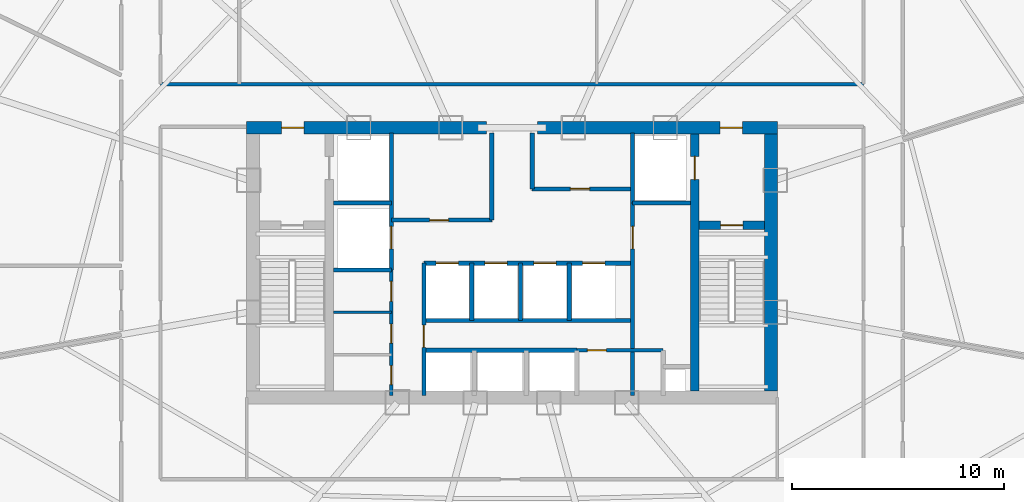
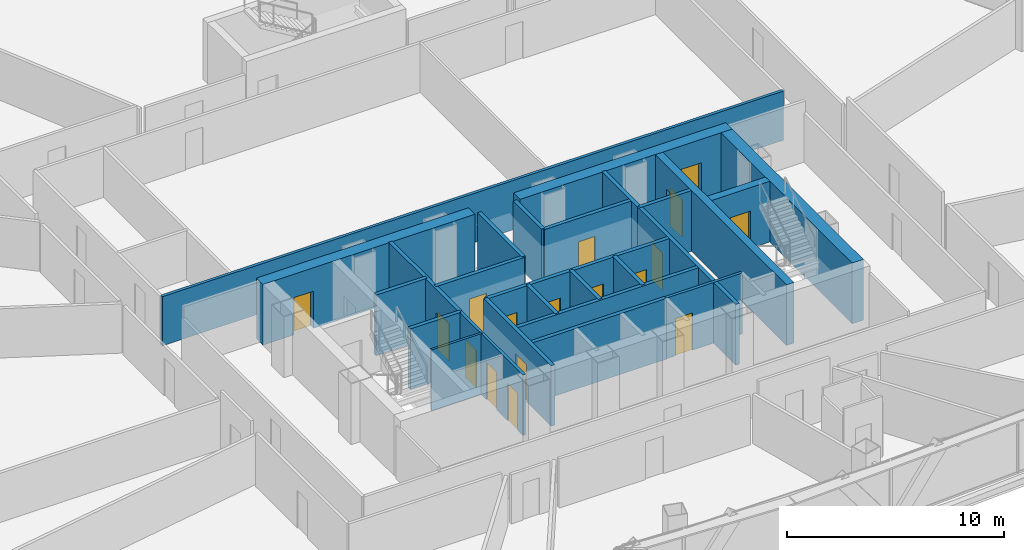
# One storey, part 33 of 39: 26 walls, 17 doors, 17 openings.
"""IFC4 building model written with IfcOpenShell, lengths in metres."""

from ifc_helpers import new_model, si_unit, direction, frame, frame_2d, origin, origin_with_axes, place, context, subcontext, project, spatial, rectangle, extrude, source, transform, mapped, material, layer, layer_set, type_object, element, fill, save


model = new_model("IFC4")

# Units and contexts
model_context = context("Model", 3, precision=1e-05, world=origin(), true_north=direction((0.0, 1.0)))
body_context = subcontext(model_context, "Body", "Model", "MODEL_VIEW")
ifc_project = project(units=[si_unit("LENGTHUNIT", "METRE"), si_unit("AREAUNIT", "SQUARE_METRE"), si_unit("VOLUMEUNIT", "CUBIC_METRE"), si_unit("PLANEANGLEUNIT", "RADIAN"), si_unit("MASSUNIT", "GRAM", prefix="KILO"), si_unit("THERMODYNAMICTEMPERATUREUNIT", "KELVIN"), si_unit("POWERUNIT", "WATT")], contexts=[model_context])

# Site, building, storey
site_placement = place(None, origin())
site = spatial("IfcSite", under=ifc_project, at=site_placement, CompositionType="ELEMENT")
building_placement = place(site_placement, origin())
building = spatial("IfcBuilding", under=site, at=building_placement, Name="Yunzhuo Pagoda Commons", CompositionType="ELEMENT")
storey_placement = place(building_placement, frame((0.0, 0.0, 144.550048828125)))
storey = spatial("IfcBuildingStorey", under=building, at=storey_placement, Name="L36", CompositionType="ELEMENT", Elevation=144.550048828125)

# Wall, opening, door
ifc_material_1 = material(Name="Concrete C60", Category="concrete")
ifc_layer_1 = layer(ifc_material_1, 0.60009765625)
ifc_layer_set_1 = layer_set([ifc_layer_1], Name="Concrete C60")
wall_type_1 = type_object("IfcWallType", Name="W-C02 Mid Core Shear Wall 600", PredefinedType="SHEAR", material=ifc_layer_set_1)
wall_1_placement = place(storey_placement, frame((35.5, 40.199951171875, 0.0), z_axis=(0.0, 0.0, 1.0), x_axis=(1.0, 0.0, 0.0)))
wall_1 = element("IfcWall", 1, at=wall_1_placement, inside=storey, type_object=wall_type_1, Name="L36 core shear wall NW", PredefinedType="SHEAR", context=body_context, shape_type="SweptSolid", body=[
    extrude(rectangle(XDim=11.300048828125, YDim=0.60009765625, at=frame_2d((5.64990234375, 0.0))), origin(), (0.0, 0.0, 1.0), 3.419921875),
])
opening_1_placement = place(wall_1_placement, frame((1.64990234375, 0.0, 0.0)))
opening_1 = element("IfcOpeningElement", 2, at=opening_1_placement, cuts=wall_1, Name="Opening D-02", PredefinedType="OPENING", context=body_context, shape_type="SweptSolid", body=[
    extrude(rectangle(XDim=1.050048828125, YDim=2.10009765625, at=frame_2d((0.52490234375, 1.050048828125))), frame((0.0, 0.31005859375, 0.0), z_axis=(0.0, -1.0, 0.0), x_axis=(1.0, 0.0, 0.0)), (0.0, 0.0, 1.0), 0.6201171875),
])
ifc_material_2 = material(Name="Galvanized fire-resisting metal leaf")
door_type_1 = type_object("IfcDoorType", Name="D-02 Firefighting Lobby & Refuge Fire Door 1050x2100", OperationType="NOTDEFINED", PredefinedType="DOOR", material=ifc_material_2)
shared_shape_1 = source(origin(), body_context, "Body", "SweptSolid", [
    extrude(rectangle(XDim=1.050048828125, YDim=2.10009765625, at=frame_2d((0.52490234375, 1.050048828125))), frame((0.0, 0.02490234375, 0.0), z_axis=(0.0, -1.0, 0.0), x_axis=(1.0, 0.0, 0.0)), (0.0, 0.0, 1.0), 0.050048828125),
])
door_1_placement = place(opening_1_placement, frame((1.050048828125, 0.0, 0.0), z_axis=(0.0, 0.0, 1.0), x_axis=(-1.0, 0.0, 0.0)))
door_1 = element("IfcDoor", 3, at=door_1_placement, inside=storey, type_object=door_type_1, Name="L36 Firefighting Lobby 1 fire door", OperationType="SINGLE_SWING_LEFT", OverallHeight=2.10009765625, OverallWidth=1.050048828125, PredefinedType="DOOR", context=body_context, shape_type="MappedRepresentation", body=[
    mapped(shared_shape_1, transform((0.0, 0.0, 0.0), scale=1.0)),
])
fill(opening_1, door_1)

wall_2_placement = place(storey_placement, frame((49.199951171875, 40.199951171875, 0.0), z_axis=(0.0, 0.0, 1.0), x_axis=(1.0, 0.0, 0.0)))
wall_2 = element("IfcWall", 4, at=wall_2_placement, inside=storey, type_object=wall_type_1, Name="L36 core shear wall NE", PredefinedType="SHEAR", context=body_context, shape_type="SweptSolid", body=[
    extrude(rectangle(XDim=11.300048828125, YDim=0.60009765625, at=frame_2d((5.64990234375, 0.0))), origin(), (0.0, 0.0, 1.0), 3.419921875),
])
opening_2_placement = place(wall_2_placement, frame((8.60009765625, 0.0, 0.0)))
opening_2 = element("IfcOpeningElement", 5, at=opening_2_placement, cuts=wall_2, Name="Opening D-02", PredefinedType="OPENING", context=body_context, shape_type="SweptSolid", body=[
    extrude(rectangle(XDim=1.050048828125, YDim=2.10009765625, at=frame_2d((0.52490234375, 1.050048828125))), frame((0.0, 0.31005859375, 0.0), z_axis=(0.0, -1.0, 0.0), x_axis=(1.0, 0.0, 0.0)), (0.0, 0.0, 1.0), 0.6201171875),
])
door_2_placement = place(opening_2_placement, frame((1.050048828125, 0.0, 0.0), z_axis=(0.0, 0.0, 1.0), x_axis=(-1.0, 0.0, 0.0)))
door_2 = element("IfcDoor", 6, at=door_2_placement, inside=storey, type_object=door_type_1, Name="L36 Firefighting Lobby 2 fire door", OperationType="SINGLE_SWING_RIGHT", OverallHeight=2.10009765625, OverallWidth=1.050048828125, PredefinedType="DOOR", context=body_context, shape_type="MappedRepresentation", body=[
    mapped(shared_shape_1, transform((0.0, 0.0, 0.0), scale=1.0)),
])
fill(opening_2, door_2)

# Wall
wall_3_placement = place(storey_placement, frame((60.199951171875, 27.800048828125, 0.0), z_axis=(0.0, 0.0, 1.0), x_axis=(0.0, 1.0, 0.0)))
element("IfcWall", 7, at=wall_3_placement, inside=storey, type_object=wall_type_1, Name="L36 core shear wall E", PredefinedType="SHEAR", context=body_context, shape_type="SweptSolid", body=[
    extrude(rectangle(XDim=12.099853515625, YDim=0.60009765625, at=frame_2d((6.0498046875, 0.0))), origin(), (0.0, 0.0, 1.0), 3.419921875),
])

# Wall, openings, doors
ifc_material_3 = material(Name="Gypsum plasterboard on acoustic stud")
ifc_layer_2 = layer(ifc_material_3, 0.155029296875)
ifc_layer_set_2 = layer_set([ifc_layer_2], Name="Gypsum plasterboard on acoustic stud")
wall_type_2 = type_object("IfcWallType", Name="W-COR2 Mid-Zone Rated Corridor Wall 155", PredefinedType="PARTITIONING", material=ifc_layer_set_2)
wall_4_placement = place(storey_placement, frame((42.320068359375, 27.60009765625, 0.0), z_axis=(0.0, 0.0, 1.0), x_axis=(0.0, 1.0, 0.0)))
wall_4 = element("IfcWall", 8, at=wall_4_placement, inside=storey, type_object=wall_type_2, Name="L36 interior wall IW-L36-CSWE", PredefinedType="PARTITIONING", context=body_context, shape_type="SweptSolid", body=[
    extrude(rectangle(XDim=5.89990234375, YDim=0.155029296875, at=frame_2d((2.949951171875, 0.0))), origin(), (0.0, 0.0, 1.0), 3.419921875),
])
opening_3_placement = place(wall_4_placement, frame((0.5, 0.0, 0.0)))
opening_3 = element("IfcOpeningElement", 9, at=opening_3_placement, cuts=wall_4, Name="Opening D-03", PredefinedType="OPENING", context=body_context, shape_type="SweptSolid", body=[
    extrude(rectangle(XDim=0.89990234375, YDim=2.10009765625, at=frame_2d((0.449951171875, 1.050048828125))), frame((0.0, 0.08740234375, 0.0), z_axis=(0.0, -1.0, 0.0), x_axis=(1.0, 0.0, 0.0)), (0.0, 0.0, 1.0), 0.175048828125),
])
opening_4_placement = place(wall_4_placement, frame((2.449951171875, 0.0, 0.0)))
opening_4 = element("IfcOpeningElement", 10, at=opening_4_placement, cuts=wall_4, Name="Opening D-03", PredefinedType="OPENING", context=body_context, shape_type="SweptSolid", body=[
    extrude(rectangle(XDim=0.89990234375, YDim=2.10009765625, at=frame_2d((0.449951171875, 1.050048828125))), frame((0.0, 0.08740234375, 0.0), z_axis=(0.0, -1.0, 0.0), x_axis=(1.0, 0.0, 0.0)), (0.0, 0.0, 1.0), 0.175048828125),
])
opening_5_placement = place(wall_4_placement, frame((4.419921875, 0.0, 0.0)))
opening_5 = element("IfcOpeningElement", 11, at=opening_5_placement, cuts=wall_4, Name="Opening D-11", PredefinedType="OPENING", context=body_context, shape_type="SweptSolid", body=[
    extrude(rectangle(XDim=0.93994140625, YDim=2.10009765625, at=frame_2d((0.469970703125, 1.050048828125))), frame((0.0, 0.08740234375, 0.0), z_axis=(0.0, -1.0, 0.0), x_axis=(1.0, 0.0, 0.0)), (0.0, 0.0, 1.0), 0.175048828125),
])
door_type_2 = type_object("IfcDoorType", Name="D-03 Core Service Fire Door 900x2100", OperationType="NOTDEFINED", PredefinedType="DOOR", material=ifc_material_2)
shared_shape_2 = source(origin(), body_context, "Body", "SweptSolid", [
    extrude(rectangle(XDim=0.89990234375, YDim=2.10009765625, at=frame_2d((0.449951171875, 1.050048828125))), frame((0.0, 0.02490234375, 0.0), z_axis=(0.0, -1.0, 0.0), x_axis=(1.0, 0.0, 0.0)), (0.0, 0.0, 1.0), 0.050048828125),
])
door_3_placement = place(opening_3_placement, origin_with_axes())
door_3 = element("IfcDoor", 12, at=door_3_placement, inside=storey, type_object=door_type_2, Name="L36 switch door", OperationType="SINGLE_SWING_RIGHT", OverallHeight=2.10009765625, OverallWidth=0.89990234375, PredefinedType="DOOR", context=body_context, shape_type="MappedRepresentation", body=[
    mapped(shared_shape_2, transform((0.0, 0.0, 0.0), scale=1.0)),
])
fill(opening_3, door_3)
door_4_placement = place(opening_4_placement, origin_with_axes())
door_4 = element("IfcDoor", 13, at=door_4_placement, inside=storey, type_object=door_type_2, Name="L36 cleaner door", OperationType="SINGLE_SWING_RIGHT", OverallHeight=2.10009765625, OverallWidth=0.89990234375, PredefinedType="DOOR", context=body_context, shape_type="MappedRepresentation", body=[
    mapped(shared_shape_2, transform((0.0, 0.0, 0.0), scale=1.0)),
])
fill(opening_4, door_4)
door_type_3 = type_object("IfcDoorType", Name="D-11 Accessible Washroom Fire Door 940x2100", OperationType="NOTDEFINED", PredefinedType="DOOR", material=ifc_material_2)
shared_shape_3 = source(origin(), body_context, "Body", "SweptSolid", [
    extrude(rectangle(XDim=0.93994140625, YDim=2.10009765625, at=frame_2d((0.469970703125, 1.050048828125))), frame((0.0, 0.02490234375, 0.0), z_axis=(0.0, -1.0, 0.0), x_axis=(1.0, 0.0, 0.0)), (0.0, 0.0, 1.0), 0.050048828125),
])
door_5_placement = place(opening_5_placement, origin_with_axes())
door_5 = element("IfcDoor", 14, at=door_5_placement, inside=storey, type_object=door_type_3, Name="L36 core WC door", OperationType="SINGLE_SWING_LEFT", OverallHeight=2.10009765625, OverallWidth=0.93994140625, PredefinedType="DOOR", context=body_context, shape_type="MappedRepresentation", body=[
    mapped(shared_shape_3, transform((0.0, 0.0, 0.0), scale=1.0)),
])
fill(opening_5, door_5)

# Wall, opening, door
wall_5_placement = place(storey_placement, frame((51.050048828125, 29.719970703125, 0.0), z_axis=(0.0, 0.0, 1.0), x_axis=(1.0, 0.0, 0.0)))
wall_5 = element("IfcWall", 15, at=wall_5_placement, inside=storey, type_object=wall_type_2, Name="L36 interior wall IW-L36-CSES", PredefinedType="PARTITIONING", context=body_context, shape_type="SweptSolid", body=[
    extrude(rectangle(XDim=4.070068359375, YDim=0.155029296875, at=frame_2d((2.03515625, 0.0))), origin(), (0.0, 0.0, 1.0), 3.419921875),
])
opening_6_placement = place(wall_5_placement, frame((0.5, 0.0, 0.0)))
opening_6 = element("IfcOpeningElement", 16, at=opening_6_placement, cuts=wall_5, Name="Opening D-03", PredefinedType="OPENING", context=body_context, shape_type="SweptSolid", body=[
    extrude(rectangle(XDim=0.89990234375, YDim=2.10009765625, at=frame_2d((0.449951171875, 1.050048828125))), frame((0.0, 0.08740234375, 0.0), z_axis=(0.0, -1.0, 0.0), x_axis=(1.0, 0.0, 0.0)), (0.0, 0.0, 1.0), 0.175048828125),
])
door_6_placement = place(opening_6_placement, origin_with_axes())
door_6 = element("IfcDoor", 17, at=door_6_placement, inside=storey, type_object=door_type_2, Name="L36 core pantry door", OperationType="SINGLE_SWING_RIGHT", OverallHeight=2.10009765625, OverallWidth=0.89990234375, PredefinedType="DOOR", context=body_context, shape_type="MappedRepresentation", body=[
    mapped(shared_shape_2, transform((0.0, 0.0, 0.0), scale=1.0)),
])
fill(opening_6, door_6)

# Walls
wall_6_placement = place(storey_placement, frame((31.449951171875, 42.25, 0.0), z_axis=(0.0, 0.0, 1.0), x_axis=(1.0, 0.0, 0.0)))
element("IfcWall", 18, at=wall_6_placement, inside=storey, type_object=wall_type_2, Name="L36 interior wall IW-L36-MCNS", PredefinedType="PARTITIONING", context=body_context, shape_type="SweptSolid", body=[
    extrude(rectangle(XDim=33.10009765625, YDim=0.155029296875, at=frame_2d((16.550048828125, 0.0))), origin(), (0.0, 0.0, 1.0), 2.77001953125),
])
ifc_layer_3 = layer(ifc_material_3, 0.1201171875)
ifc_layer_set_3 = layer_set([ifc_layer_3], Name="Gypsum plasterboard on acoustic stud")
wall_type_3 = type_object("IfcWallType", Name="W-PRT1 Suite & Bathroom Partition 120", PredefinedType="PARTITIONING", material=ifc_layer_set_3)
wall_7_placement = place(storey_placement, frame((39.60009765625, 31.5, 0.0), z_axis=(0.0, 0.0, 1.0), x_axis=(1.0, 0.0, 0.0)))
element("IfcWall", 19, at=wall_7_placement, inside=storey, type_object=wall_type_3, Name="L36 interior wall IW-L36-CC2", PredefinedType="PARTITIONING", context=body_context, shape_type="SweptSolid", body=[
    extrude(rectangle(XDim=2.719970703125, YDim=0.1201171875, at=frame_2d((1.35986328125, 0.0))), origin(), (0.0, 0.0, 1.0), 3.419921875),
])

# Wall, opening, door
ifc_layer_4 = layer(ifc_material_1, 0.39990234375)
ifc_layer_set_4 = layer_set([ifc_layer_4], Name="Concrete C60")
wall_type_4 = type_object("IfcWallType", Name="W-S01 Internal Core Shear Web 400", PredefinedType="SHEAR", material=ifc_layer_set_4)
wall_8_placement = place(storey_placement, frame((56.60009765625, 27.800048828125, 0.0), z_axis=(0.0, 0.0, 1.0), x_axis=(0.0, 1.0, 0.0)))
wall_8 = element("IfcWall", 20, at=wall_8_placement, inside=storey, type_object=wall_type_4, Name="L36 core shear wall WEBE", PredefinedType="SHEAR", context=body_context, shape_type="SweptSolid", body=[
    extrude(rectangle(XDim=12.099853515625, YDim=0.39990234375, at=frame_2d((6.0498046875, 0.0))), origin(), (0.0, 0.0, 1.0), 3.419921875),
])
opening_7_placement = place(wall_8_placement, frame((9.949951171875, 0.0, 0.0)))
opening_7 = element("IfcOpeningElement", 21, at=opening_7_placement, cuts=wall_8, Name="Opening LD-01", PredefinedType="OPENING", context=body_context, shape_type="SweptSolid", body=[
    extrude(rectangle(XDim=1.10009765625, YDim=2.10009765625, at=frame_2d((0.550048828125, 1.050048828125))), frame((0.0, 0.2099609375, 0.0), z_axis=(0.0, -1.0, 0.0), x_axis=(1.0, 0.0, 0.0)), (0.0, 0.0, 1.0), 0.419921875),
])
door_type_4 = type_object("IfcDoorType", Name="LD-01 Firefighting Lift Landing Door 1100x2100", OperationType="DOUBLE_DOOR_SLIDING", PredefinedType="DOOR", material=ifc_material_2)
shared_shape_4 = source(origin(), body_context, "Body", "SweptSolid", [
    extrude(rectangle(XDim=1.10009765625, YDim=2.10009765625, at=frame_2d((0.550048828125, 1.050048828125))), frame((0.0, 0.02490234375, 0.0), z_axis=(0.0, -1.0, 0.0), x_axis=(1.0, 0.0, 0.0)), (0.0, 0.0, 1.0), 0.050048828125),
])
door_7_placement = place(opening_7_placement, origin_with_axes())
door_7 = element("IfcDoor", 22, at=door_7_placement, inside=storey, type_object=door_type_4, Name="L36 Firefighting lift FL-2 landing door", OperationType="DOUBLE_DOOR_SLIDING", OverallHeight=2.10009765625, OverallWidth=1.10009765625, PredefinedType="DOOR", context=body_context, shape_type="MappedRepresentation", body=[
    mapped(shared_shape_4, transform((0.0, 0.0, 0.0), scale=1.0)),
])
fill(opening_7, door_7)

wall_9_placement = place(storey_placement, frame((56.800048828125, 35.60009765625, 0.0), z_axis=(0.0, 0.0, 1.0), x_axis=(1.0, 0.0, 0.0)))
wall_9 = element("IfcWall", 23, at=wall_9_placement, inside=storey, type_object=wall_type_4, Name="L36 core shear wall STE", PredefinedType="SHEAR", context=body_context, shape_type="SweptSolid", body=[
    extrude(rectangle(XDim=3.099853515625, YDim=0.39990234375, at=frame_2d((1.5498046875, 0.0))), origin(), (0.0, 0.0, 1.0), 3.419921875),
])
opening_8_placement = place(wall_9_placement, frame((1.02001953125, 0.0, 0.0)))
opening_8 = element("IfcOpeningElement", 24, at=opening_8_placement, cuts=wall_9, Name="Opening D-01", PredefinedType="OPENING", context=body_context, shape_type="SweptSolid", body=[
    extrude(rectangle(XDim=1.050048828125, YDim=2.10009765625, at=frame_2d((0.52490234375, 1.050048828125))), frame((0.0, 0.2099609375, 0.0), z_axis=(0.0, -1.0, 0.0), x_axis=(1.0, 0.0, 0.0)), (0.0, 0.0, 1.0), 0.419921875),
])
door_type_5 = type_object("IfcDoorType", Name="D-01 Smokeproof Stair Fire Door 1050x2100", OperationType="NOTDEFINED", PredefinedType="DOOR", material=ifc_material_2)
door_8_placement = place(opening_8_placement, frame((1.050048828125, 0.0, 0.0), z_axis=(0.0, 0.0, 1.0), x_axis=(-1.0, 0.0, 0.0)))
door_8 = element("IfcDoor", 25, at=door_8_placement, inside=storey, type_object=door_type_5, Name="L36 Stair ST2 fire door", OperationType="SINGLE_SWING_RIGHT", OverallHeight=2.10009765625, OverallWidth=1.050048828125, PredefinedType="DOOR", context=body_context, shape_type="MappedRepresentation", body=[
    mapped(shared_shape_1, transform((0.0, 0.0, 0.0), scale=1.0)),
])
fill(opening_8, door_8)

ifc_material_4 = material(Name="Concrete C40", Category="concrete")
ifc_layer_5 = layer(ifc_material_4, 0.199951171875)
ifc_layer_set_5 = layer_set([ifc_layer_5], Name="Concrete C40")
wall_type_5 = type_object("IfcWallType", Name="W-SHF Shaft & Stair Enclosure Wall 200", PredefinedType="SOLIDWALL", material=ifc_layer_set_5)
wall_10_placement = place(storey_placement, frame((42.320068359375, 33.5, 0.0), z_axis=(0.0, 0.0, 1.0), x_axis=(0.0, 1.0, 0.0)))
wall_10 = element("IfcWall", 26, at=wall_10_placement, inside=storey, type_object=wall_type_5, Name="L36 interior wall IW-L36-FL1E", PredefinedType="SOLIDWALL", context=body_context, shape_type="SweptSolid", body=[
    extrude(rectangle(XDim=6.449951171875, YDim=0.199951171875, at=frame_2d((3.22509765625, 0.0))), origin(), (0.0, 0.0, 1.0), 3.419921875),
])
opening_9_placement = place(wall_10_placement, frame((1.0, 0.0, 0.0)))
opening_9 = element("IfcOpeningElement", 27, at=opening_9_placement, cuts=wall_10, Name="Opening LD-02", PredefinedType="OPENING", context=body_context, shape_type="SweptSolid", body=[
    extrude(rectangle(XDim=1.050048828125, YDim=2.10009765625, at=frame_2d((0.52490234375, 1.050048828125))), frame((0.0, 0.10986328125, 0.0), z_axis=(0.0, -1.0, 0.0), x_axis=(1.0, 0.0, 0.0)), (0.0, 0.0, 1.0), 0.219970703125),
])
door_type_6 = type_object("IfcDoorType", Name="LD-02 Passenger Lift Landing Door 1050x2100", OperationType="DOUBLE_DOOR_SLIDING", PredefinedType="DOOR", material=ifc_material_2)
door_9_placement = place(opening_9_placement, origin_with_axes())
door_9 = element("IfcDoor", 28, at=door_9_placement, inside=storey, type_object=door_type_6, Name="L36 Service lift SL-1 landing door", OperationType="DOUBLE_DOOR_SLIDING", OverallHeight=2.10009765625, OverallWidth=1.050048828125, PredefinedType="DOOR", context=body_context, shape_type="MappedRepresentation", body=[
    mapped(shared_shape_1, transform((0.0, 0.0, 0.0), scale=1.0)),
])
fill(opening_9, door_9)

# Walls
for number, where, z_axis, x_axis, name in (
    (29, (39.60009765625, 36.64990234375, 0.0), (0.0, 0.0, 1.0), (1.0, 0.0, 0.0), "L36 interior wall IW-L36-FL1S"),
    (30, (39.60009765625, 33.5, 0.0), (0.0, 0.0, 1.0), (1.0, 0.0, 0.0), "L36 interior wall IW-L36-SL1S"),
):
    element("IfcWall", number, at=place(storey_placement, frame(where, z_axis=z_axis, x_axis=x_axis)), inside=storey, type_object=wall_type_5, Name=name, PredefinedType="SOLIDWALL", context=body_context, shape_type="SweptSolid", body=[
        extrude(rectangle(XDim=2.719970703125, YDim=0.199951171875, at=frame_2d((1.35986328125, 0.0))), origin(), (0.0, 0.0, 1.0), 3.419921875),
    ])
wall_11_placement = place(storey_placement, frame((53.679931640625, 36.64990234375, 0.0), z_axis=(0.0, 0.0, 1.0), x_axis=(0.0, 1.0, 0.0)))
element("IfcWall", 31, at=wall_11_placement, inside=storey, type_object=wall_type_5, Name="L36 interior wall IW-L36-FL2W", PredefinedType="SOLIDWALL", context=body_context, shape_type="SweptSolid", body=[
    extrude(rectangle(XDim=3.300048828125, YDim=0.199951171875, at=frame_2d((1.64990234375, 0.0))), origin(), (0.0, 0.0, 1.0), 3.419921875),
])
wall_12_placement = place(storey_placement, frame((53.679931640625, 36.64990234375, 0.0), z_axis=(0.0, 0.0, 1.0), x_axis=(1.0, 0.0, 0.0)))
element("IfcWall", 32, at=wall_12_placement, inside=storey, type_object=wall_type_5, Name="L36 interior wall IW-L36-FL2S", PredefinedType="SOLIDWALL", context=body_context, shape_type="SweptSolid", body=[
    extrude(rectangle(XDim=2.719970703125, YDim=0.199951171875, at=frame_2d((1.35986328125, 0.0))), origin(), (0.0, 0.0, 1.0), 3.419921875),
])

# Wall, opening, door
wall_13_placement = place(storey_placement, frame((42.320068359375, 35.85009765625, 0.0), z_axis=(0.0, 0.0, 1.0), x_axis=(1.0, 0.0, 0.0)))
wall_13 = element("IfcWall", 33, at=wall_13_placement, inside=storey, type_object=wall_type_5, Name="L36 interior wall IW-L36-LBNW", PredefinedType="SOLIDWALL", context=body_context, shape_type="SweptSolid", body=[
    extrude(rectangle(XDim=4.72998046875, YDim=0.199951171875, at=frame_2d((2.364990234375, 0.0))), origin(), (0.0, 0.0, 1.0), 3.419921875),
])
opening_10_placement = place(wall_13_placement, frame((1.800048828125, 0.0, 0.0)))
opening_10 = element("IfcOpeningElement", 34, at=opening_10_placement, cuts=wall_13, Name="Opening D-03", PredefinedType="OPENING", context=body_context, shape_type="SweptSolid", body=[
    extrude(rectangle(XDim=0.89990234375, YDim=2.10009765625, at=frame_2d((0.449951171875, 1.050048828125))), frame((0.0, 0.10986328125, 0.0), z_axis=(0.0, -1.0, 0.0), x_axis=(1.0, 0.0, 0.0)), (0.0, 0.0, 1.0), 0.219970703125),
])
door_10_placement = place(opening_10_placement, frame((0.89990234375, 0.0, 0.0), z_axis=(0.0, 0.0, 1.0), x_axis=(-1.0, 0.0, 0.0)))
door_10 = element("IfcDoor", 35, at=door_10_placement, inside=storey, type_object=door_type_2, Name="L36 core west store door", OperationType="SINGLE_SWING_LEFT", OverallHeight=2.10009765625, OverallWidth=0.89990234375, PredefinedType="DOOR", context=body_context, shape_type="MappedRepresentation", body=[
    mapped(shared_shape_2, transform((0.0, 0.0, 0.0), scale=1.0)),
])
fill(opening_10, door_10)

wall_14_placement = place(storey_placement, frame((48.949951171875, 37.320068359375, 0.0), z_axis=(0.0, 0.0, 1.0), x_axis=(1.0, 0.0, 0.0)))
wall_14 = element("IfcWall", 36, at=wall_14_placement, inside=storey, type_object=wall_type_5, Name="L36 interior wall IW-L36-LBNE", PredefinedType="SOLIDWALL", context=body_context, shape_type="SweptSolid", body=[
    extrude(rectangle(XDim=4.72998046875, YDim=0.199951171875, at=frame_2d((2.364990234375, 0.0))), origin(), (0.0, 0.0, 1.0), 3.419921875),
])
opening_11_placement = place(wall_14_placement, frame((1.800048828125, 0.0, 0.0)))
opening_11 = element("IfcOpeningElement", 37, at=opening_11_placement, cuts=wall_14, Name="Opening D-03", PredefinedType="OPENING", context=body_context, shape_type="SweptSolid", body=[
    extrude(rectangle(XDim=0.89990234375, YDim=2.10009765625, at=frame_2d((0.449951171875, 1.050048828125))), frame((0.0, 0.10986328125, 0.0), z_axis=(0.0, -1.0, 0.0), x_axis=(1.0, 0.0, 0.0)), (0.0, 0.0, 1.0), 0.219970703125),
])
door_11_placement = place(opening_11_placement, frame((0.89990234375, 0.0, 0.0), z_axis=(0.0, 0.0, 1.0), x_axis=(-1.0, 0.0, 0.0)))
door_11 = element("IfcDoor", 38, at=door_11_placement, inside=storey, type_object=door_type_2, Name="L36 core east store door", OperationType="SINGLE_SWING_RIGHT", OverallHeight=2.10009765625, OverallWidth=0.89990234375, PredefinedType="DOOR", context=body_context, shape_type="MappedRepresentation", body=[
    mapped(shared_shape_2, transform((0.0, 0.0, 0.0), scale=1.0)),
])
fill(opening_11, door_11)

# Walls
wall_15_placement = place(storey_placement, frame((47.050048828125, 35.85009765625, 0.0), z_axis=(0.0, 0.0, 1.0), x_axis=(0.0, 1.0, 0.0)))
element("IfcWall", 39, at=wall_15_placement, inside=storey, type_object=wall_type_5, Name="L36 interior wall IW-L36-THRW", PredefinedType="SOLIDWALL", context=body_context, shape_type="SweptSolid", body=[
    extrude(rectangle(XDim=4.099853515625, YDim=0.199951171875, at=frame_2d((2.0498046875, 0.0))), origin(), (0.0, 0.0, 1.0), 3.419921875),
])
wall_16_placement = place(storey_placement, frame((48.949951171875, 37.320068359375, 0.0), z_axis=(0.0, 0.0, 1.0), x_axis=(0.0, 1.0, 0.0)))
element("IfcWall", 40, at=wall_16_placement, inside=storey, type_object=wall_type_5, Name="L36 interior wall IW-L36-THRE", PredefinedType="SOLIDWALL", context=body_context, shape_type="SweptSolid", body=[
    extrude(rectangle(XDim=2.6298828125, YDim=0.199951171875, at=frame_2d((1.31494140625, 0.0))), origin(), (0.0, 0.0, 1.0), 3.419921875),
])

# Wall, openings, doors
wall_17_placement = place(storey_placement, frame((43.85009765625, 33.820068359375, 0.0), z_axis=(0.0, 0.0, 1.0), x_axis=(1.0, 0.0, 0.0)))
wall_17 = element("IfcWall", 41, at=wall_17_placement, inside=storey, type_object=wall_type_5, Name="L36 interior wall IW-L36-MLBS", PredefinedType="SOLIDWALL", context=body_context, shape_type="SweptSolid", body=[
    extrude(rectangle(XDim=9.829833984375, YDim=0.199951171875, at=frame_2d((4.9150390625, 0.0))), origin(), (0.0, 0.0, 1.0), 3.419921875),
])
opening_12_placement = place(wall_17_placement, frame((0.574951171875, 0.0, 0.0)))
opening_12 = element("IfcOpeningElement", 42, at=opening_12_placement, cuts=wall_17, Name="Opening LD-02", PredefinedType="OPENING", context=body_context, shape_type="SweptSolid", body=[
    extrude(rectangle(XDim=1.050048828125, YDim=2.10009765625, at=frame_2d((0.52490234375, 1.050048828125))), frame((0.0, 0.10986328125, 0.0), z_axis=(0.0, -1.0, 0.0), x_axis=(1.0, 0.0, 0.0)), (0.0, 0.0, 1.0), 0.219970703125),
])
opening_13_placement = place(wall_17_placement, frame((2.875, 0.0, 0.0)))
opening_13 = element("IfcOpeningElement", 43, at=opening_13_placement, cuts=wall_17, Name="Opening LD-02", PredefinedType="OPENING", context=body_context, shape_type="SweptSolid", body=[
    extrude(rectangle(XDim=1.050048828125, YDim=2.10009765625, at=frame_2d((0.52490234375, 1.050048828125))), frame((0.0, 0.10986328125, 0.0), z_axis=(0.0, -1.0, 0.0), x_axis=(1.0, 0.0, 0.0)), (0.0, 0.0, 1.0), 0.219970703125),
])
opening_14_placement = place(wall_17_placement, frame((5.175048828125, 0.0, 0.0)))
opening_14 = element("IfcOpeningElement", 44, at=opening_14_placement, cuts=wall_17, Name="Opening LD-02", PredefinedType="OPENING", context=body_context, shape_type="SweptSolid", body=[
    extrude(rectangle(XDim=1.050048828125, YDim=2.10009765625, at=frame_2d((0.52490234375, 1.050048828125))), frame((0.0, 0.10986328125, 0.0), z_axis=(0.0, -1.0, 0.0), x_axis=(1.0, 0.0, 0.0)), (0.0, 0.0, 1.0), 0.219970703125),
])
opening_15_placement = place(wall_17_placement, frame((7.47509765625, 0.0, 0.0)))
opening_15 = element("IfcOpeningElement", 45, at=opening_15_placement, cuts=wall_17, Name="Opening LD-02", PredefinedType="OPENING", context=body_context, shape_type="SweptSolid", body=[
    extrude(rectangle(XDim=1.050048828125, YDim=2.10009765625, at=frame_2d((0.52490234375, 1.050048828125))), frame((0.0, 0.10986328125, 0.0), z_axis=(0.0, -1.0, 0.0), x_axis=(1.0, 0.0, 0.0)), (0.0, 0.0, 1.0), 0.219970703125),
])
door_12_placement = place(opening_12_placement, origin_with_axes())
door_12 = element("IfcDoor", 46, at=door_12_placement, inside=storey, type_object=door_type_6, Name="L36 Passenger lift PL-M1 landing door", OperationType="DOUBLE_DOOR_SLIDING", OverallHeight=2.10009765625, OverallWidth=1.050048828125, PredefinedType="DOOR", context=body_context, shape_type="MappedRepresentation", body=[
    mapped(shared_shape_1, transform((0.0, 0.0, 0.0), scale=1.0)),
])
fill(opening_12, door_12)
door_13_placement = place(opening_13_placement, origin_with_axes())
door_13 = element("IfcDoor", 47, at=door_13_placement, inside=storey, type_object=door_type_6, Name="L36 Passenger lift PL-M2 landing door", OperationType="DOUBLE_DOOR_SLIDING", OverallHeight=2.10009765625, OverallWidth=1.050048828125, PredefinedType="DOOR", context=body_context, shape_type="MappedRepresentation", body=[
    mapped(shared_shape_1, transform((0.0, 0.0, 0.0), scale=1.0)),
])
fill(opening_13, door_13)
door_14_placement = place(opening_14_placement, origin_with_axes())
door_14 = element("IfcDoor", 48, at=door_14_placement, inside=storey, type_object=door_type_6, Name="L36 Passenger lift PL-M3 landing door", OperationType="DOUBLE_DOOR_SLIDING", OverallHeight=2.10009765625, OverallWidth=1.050048828125, PredefinedType="DOOR", context=body_context, shape_type="MappedRepresentation", body=[
    mapped(shared_shape_1, transform((0.0, 0.0, 0.0), scale=1.0)),
])
fill(opening_14, door_14)
door_15_placement = place(opening_15_placement, origin_with_axes())
door_15 = element("IfcDoor", 49, at=door_15_placement, inside=storey, type_object=door_type_6, Name="L36 Passenger lift PL-M4 landing door", OperationType="DOUBLE_DOOR_SLIDING", OverallHeight=2.10009765625, OverallWidth=1.050048828125, PredefinedType="DOOR", context=body_context, shape_type="MappedRepresentation", body=[
    mapped(shared_shape_1, transform((0.0, 0.0, 0.0), scale=1.0)),
])
fill(opening_15, door_15)

# Wall, opening, door
wall_18_placement = place(storey_placement, frame((43.85009765625, 27.60009765625, 0.0), z_axis=(0.0, 0.0, 1.0), x_axis=(0.0, 1.0, 0.0)))
wall_18 = element("IfcWall", 50, at=wall_18_placement, inside=storey, type_object=wall_type_5, Name="L36 interior wall IW-L36-PLMW", PredefinedType="SOLIDWALL", context=body_context, shape_type="SweptSolid", body=[
    extrude(rectangle(XDim=6.219970703125, YDim=0.199951171875, at=frame_2d((3.10986328125, 0.0))), origin(), (0.0, 0.0, 1.0), 3.419921875),
])
opening_16_placement = place(wall_18_placement, frame((2.25, 0.0, 0.0)))
opening_16 = element("IfcOpeningElement", 51, at=opening_16_placement, cuts=wall_18, Name="Opening D-02", PredefinedType="OPENING", context=body_context, shape_type="SweptSolid", body=[
    extrude(rectangle(XDim=1.050048828125, YDim=2.10009765625, at=frame_2d((0.52490234375, 1.050048828125))), frame((0.0, 0.10986328125, 0.0), z_axis=(0.0, -1.0, 0.0), x_axis=(1.0, 0.0, 0.0)), (0.0, 0.0, 1.0), 0.219970703125),
])
door_16_placement = place(opening_16_placement, frame((1.050048828125, 0.0, 0.0), z_axis=(0.0, 0.0, 1.0), x_axis=(-1.0, 0.0, 0.0)))
door_16 = element("IfcDoor", 52, at=door_16_placement, inside=storey, type_object=door_type_1, Name="L36 High-bank hall west door", OperationType="SINGLE_SWING_LEFT", OverallHeight=2.10009765625, OverallWidth=1.050048828125, PredefinedType="DOOR", context=body_context, shape_type="MappedRepresentation", body=[
    mapped(shared_shape_1, transform((0.0, 0.0, 0.0), scale=1.0)),
])
fill(opening_16, door_16)

wall_19_placement = place(storey_placement, frame((53.679931640625, 27.60009765625, 0.0), z_axis=(0.0, 0.0, 1.0), x_axis=(0.0, 1.0, 0.0)))
wall_19 = element("IfcWall", 53, at=wall_19_placement, inside=storey, type_object=wall_type_5, Name="L36 interior wall IW-L36-PLME", PredefinedType="SOLIDWALL", context=body_context, shape_type="SweptSolid", body=[
    extrude(rectangle(XDim=9.0498046875, YDim=0.199951171875, at=frame_2d((4.52490234375, 0.0))), origin(), (0.0, 0.0, 1.0), 3.419921875),
])
opening_17_placement = place(wall_19_placement, frame((6.89990234375, 0.0, 0.0)))
opening_17 = element("IfcOpeningElement", 54, at=opening_17_placement, cuts=wall_19, Name="Opening D-02", PredefinedType="OPENING", context=body_context, shape_type="SweptSolid", body=[
    extrude(rectangle(XDim=1.050048828125, YDim=2.10009765625, at=frame_2d((0.52490234375, 1.050048828125))), frame((0.0, 0.10986328125, 0.0), z_axis=(0.0, -1.0, 0.0), x_axis=(1.0, 0.0, 0.0)), (0.0, 0.0, 1.0), 0.219970703125),
])
door_17_placement = place(opening_17_placement, origin_with_axes())
door_17 = element("IfcDoor", 55, at=door_17_placement, inside=storey, type_object=door_type_1, Name="L36 High-bank lift hall door", OperationType="SINGLE_SWING_RIGHT", OverallHeight=2.10009765625, OverallWidth=1.050048828125, PredefinedType="DOOR", context=body_context, shape_type="MappedRepresentation", body=[
    mapped(shared_shape_1, transform((0.0, 0.0, 0.0), scale=1.0)),
])
fill(opening_17, door_17)

# Walls
for number, where, z_axis, x_axis, name in (
    (56, (46.10009765625, 31.1201171875, 0.0), (0.0, 0.0, 1.0), (0.0, 1.0, 0.0), "L36 interior wall IW-L36-PLMD1"),
    (57, (48.39990234375, 31.1201171875, 0.0), (0.0, 0.0, 1.0), (0.0, 1.0, 0.0), "L36 interior wall IW-L36-PLMD2"),
    (58, (50.699951171875, 31.1201171875, 0.0), (0.0, 0.0, 1.0), (0.0, 1.0, 0.0), "L36 interior wall IW-L36-PLMD3"),
):
    element("IfcWall", number, at=place(storey_placement, frame(where, z_axis=z_axis, x_axis=x_axis)), inside=storey, type_object=wall_type_5, Name=name, PredefinedType="SOLIDWALL", context=body_context, shape_type="SweptSolid", body=[
        extrude(rectangle(XDim=2.699951171875, YDim=0.199951171875, at=frame_2d((1.35009765625, 0.0))), origin(), (0.0, 0.0, 1.0), 3.419921875),
    ])
wall_20_placement = place(storey_placement, frame((43.85009765625, 29.719970703125, 0.0), z_axis=(0.0, 0.0, 1.0), x_axis=(1.0, 0.0, 0.0)))
element("IfcWall", 59, at=wall_20_placement, inside=storey, type_object=wall_type_5, Name="L36 interior wall IW-L36-PLHN", PredefinedType="SOLIDWALL", context=body_context, shape_type="SweptSolid", body=[
    extrude(rectangle(XDim=7.199951171875, YDim=0.199951171875, at=frame_2d((3.60009765625, 0.0))), origin(), (0.0, 0.0, 1.0), 3.419921875),
])
wall_21_placement = place(storey_placement, frame((43.85009765625, 31.1201171875, 0.0), z_axis=(0.0, 0.0, 1.0), x_axis=(1.0, 0.0, 0.0)))
element("IfcWall", 60, at=wall_21_placement, inside=storey, type_object=wall_type_5, Name="L36 interior wall IW-L36-PLMS2", PredefinedType="SOLIDWALL", context=body_context, shape_type="SweptSolid", body=[
    extrude(rectangle(XDim=9.829833984375, YDim=0.199951171875, at=frame_2d((4.9150390625, 0.0))), origin(), (0.0, 0.0, 1.0), 3.419921875),
])

save(model, "model.ifc")
